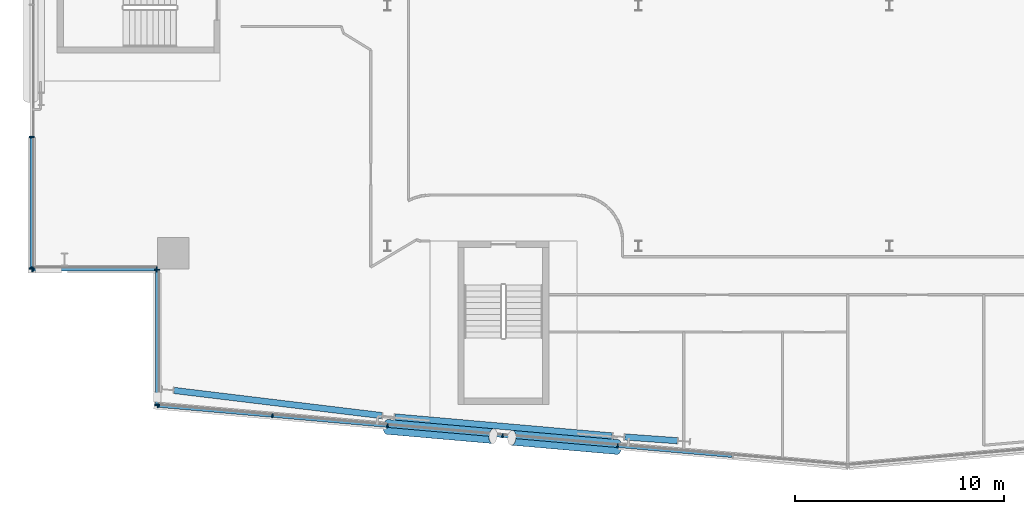
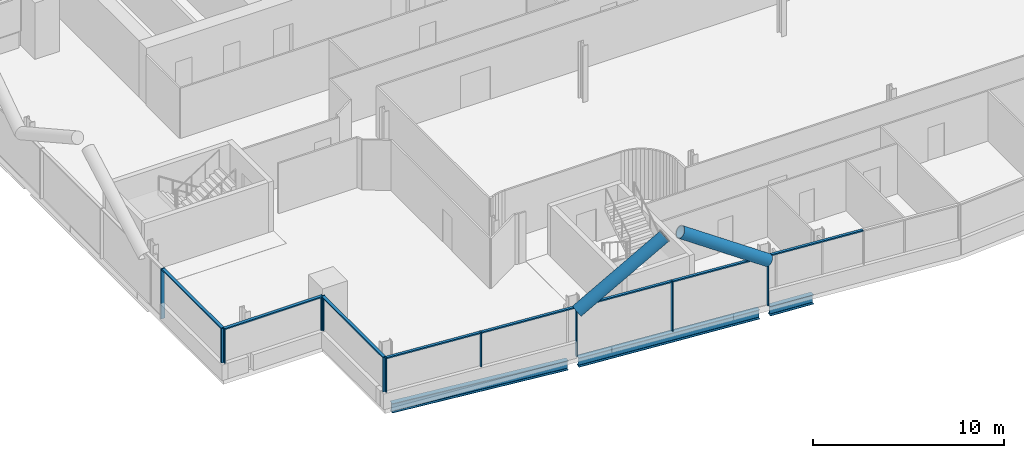
# One storey, part 6 of 29: 21 members, 3 beams, 4 elements without a shape of their own.
"""IFC4 building model written with IfcOpenShell, lengths in metres."""

from ifc_helpers import new_model, si_unit, direction, frame, origin, origin_2d, place, context, subcontext, project, spatial, rectangle, hollow_circle, i_section, extrude, material, material_profile, profile_set, type_object, element, aggregate, save


model = new_model("IFC4")

# Units and contexts
model_context = context("Model", 3, precision=1e-05, world=origin(), true_north=direction((0.0, 1.0)))
body_context = subcontext(model_context, "Body", "Model", "MODEL_VIEW")
ifc_project = project(units=[si_unit("LENGTHUNIT", "METRE"), si_unit("AREAUNIT", "SQUARE_METRE"), si_unit("VOLUMEUNIT", "CUBIC_METRE"), si_unit("PLANEANGLEUNIT", "RADIAN"), si_unit("MASSUNIT", "GRAM", prefix="KILO")], contexts=[model_context])

# Site, building, storey
site_placement = place(None, origin())
site = spatial("IfcSite", under=ifc_project, at=site_placement, CompositionType="ELEMENT")
building_placement = place(site_placement, origin())
building = spatial("IfcBuilding", under=site, at=building_placement, Name="Wharfspan Tower", CompositionType="ELEMENT")
storey_placement = place(building_placement, frame((0.0, 0.0, 162.699951)))
storey = spatial("IfcBuildingStorey", under=building, at=storey_placement, Name="L39", CompositionType="ELEMENT", Elevation=162.699951)

# Beams
ifc_material_1 = material(Name="Steel S355J2", Category="steel")
ifc_material_profile_1 = material_profile(ifc_material_1, i_section(OverallWidth=0.300049, OverallDepth=0.600098, WebThickness=0.015381, FlangeThickness=0.030029, FilletRadius=0.0271, at=origin_2d()))
ifc_profile_set_1 = profile_set([ifc_material_profile_1], Name="Steel S355J2")
beam_type = type_object("IfcBeamType", Name="Edge beam HEB 600", PredefinedType="SPANDREL", material=ifc_profile_set_1)
beam_1_placement = place(storey_placement, frame((13.794678, 4.600586, -0.699951), z_axis=(0.992758, -0.12013, 0.0), x_axis=(0.12013, 0.992758, 0.0)))
element("IfcBeam", 1, at=beam_1_placement, inside=storey, type_object=beam_type, Name="Edge beam S1 L39 PS1.1 to PS1.2", PredefinedType="SPANDREL", context=body_context, shape_type="SweptSolid", body=[
    extrude(i_section(OverallWidth=0.300049, OverallDepth=0.600098, WebThickness=0.015381, FlangeThickness=0.030029, FilletRadius=0.0271, at=origin_2d()), origin(), (0.0, 0.0, 1.0), 10.013184),
])
beam_2_placement = place(storey_placement, frame((24.343994, 3.334229, -0.699951), z_axis=(0.996196, -0.087146, 0.0), x_axis=(0.087146, 0.996196, 0.0)))
element("IfcBeam", 2, at=beam_2_placement, inside=storey, type_object=beam_type, Name="Edge beam S1 L39 PS1.2 to PS1.3", PredefinedType="SPANDREL", context=body_context, shape_type="SweptSolid", body=[
    extrude(i_section(OverallWidth=0.300049, OverallDepth=0.600098, WebThickness=0.015381, FlangeThickness=0.030029, FilletRadius=0.0271, at=origin_2d()), origin(), (0.0, 0.0, 1.0), 10.430176),
])
beam_3_placement = place(storey_placement, frame((35.344482, 2.376709, -0.699951), z_axis=(0.997423, -0.07175, 0.0), x_axis=(0.07175, 0.997423, 0.0)))
element("IfcBeam", 3, at=beam_3_placement, inside=storey, type_object=beam_type, Name="Edge beam S1 L39 PS1.3 to PS1.4", PredefinedType="SPANDREL", context=body_context, shape_type="SweptSolid", body=[
    extrude(i_section(OverallWidth=0.300049, OverallDepth=0.600098, WebThickness=0.015381, FlangeThickness=0.030029, FilletRadius=0.0271, at=origin_2d()), origin(), (0.0, 0.0, 1.0), 2.518066),
])

# Curtain wall, members
ifc_material_2 = material(Name="Aluminium 6063-T6", Category="aluminium")
curtain_wall_type_1 = type_object("IfcCurtainWallType", Name="CURTAIN WALL FACETED FRONT", PredefinedType="NOTDEFINED", material=ifc_material_2)
curtain_wall_1_placement = place(storey_placement, origin())
curtain_wall_1 = element("IfcCurtainWall", 4, at=curtain_wall_1_placement, inside=storey, type_object=curtain_wall_type_1, Name="Curtain wall S1", PredefinedType="NOTDEFINED")
ifc_material_profile_2 = material_profile(ifc_material_2, rectangle(XDim=0.199951, YDim=0.060059, at=origin_2d()))
ifc_profile_set_2 = profile_set([ifc_material_profile_2], Name="Aluminium 6063-T6")
member_type_1 = type_object("IfcMemberType", Name="MULLION FACETED FRONT 60x200", PredefinedType="MULLION", material=ifc_profile_set_2)
member_1_placement = place(storey_placement, frame((13.029785, 3.872559, 1.0), z_axis=(0.0, 0.0, 1.0), x_axis=(0.087156, 0.996198, 0.0)))
member_1 = element("IfcMember", 5, at=member_1_placement, type_object=member_type_1, Name="Curtain wall S1 mullion 1", PredefinedType="MULLION", context=body_context, shape_type="SweptSolid", body=[
    extrude(rectangle(XDim=0.199951, YDim=0.060059, at=origin_2d()), origin(), (0.0, 0.0, 1.0), 2.199951),
])
member_2_placement = place(storey_placement, frame((18.5, 3.393799, 1.0), z_axis=(0.0, 0.0, 1.0), x_axis=(0.087156, 0.996198, 0.0)))
member_2 = element("IfcMember", 6, at=member_2_placement, type_object=member_type_1, Name="Curtain wall S1 mullion 2", PredefinedType="MULLION", context=body_context, shape_type="SweptSolid", body=[
    extrude(rectangle(XDim=0.199951, YDim=0.060059, at=origin_2d()), origin(), (0.0, 0.0, 1.0), 2.199951),
])
member_3_placement = place(storey_placement, frame((24.0, 2.912598, 0.0), z_axis=(0.0, 0.0, 1.0), x_axis=(0.087156, 0.996198, 0.0)))
member_3 = element("IfcMember", 7, at=member_3_placement, type_object=member_type_1, Name="Curtain wall S1 mullion 3", PredefinedType="MULLION", context=body_context, shape_type="SweptSolid", body=[
    extrude(rectangle(XDim=0.199951, YDim=0.060059, at=origin_2d()), origin(), (0.0, 0.0, 1.0), 3.199951),
])
member_4_placement = place(storey_placement, frame((29.5, 2.431396, 0.0), z_axis=(0.0, 0.0, 1.0), x_axis=(0.087156, 0.996198, 0.0)))
member_4 = element("IfcMember", 8, at=member_4_placement, type_object=member_type_1, Name="Curtain wall S1 mullion 4", PredefinedType="MULLION", context=body_context, shape_type="SweptSolid", body=[
    extrude(rectangle(XDim=0.199951, YDim=0.060059, at=origin_2d()), origin(), (0.0, 0.0, 1.0), 3.199951),
])
member_5_placement = place(storey_placement, frame((35.0, 1.950195, 0.0), z_axis=(0.0, 0.0, 1.0), x_axis=(0.087156, 0.996198, 0.0)))
member_5 = element("IfcMember", 9, at=member_5_placement, type_object=member_type_1, Name="Curtain wall S1 mullion 5", PredefinedType="MULLION", context=body_context, shape_type="SweptSolid", body=[
    extrude(rectangle(XDim=0.199951, YDim=0.060059, at=origin_2d()), origin(), (0.0, 0.0, 1.0), 3.199951),
])

curtain_wall_type_2 = type_object("IfcCurtainWallType", Name="CURTAIN WALL PROW AND END", PredefinedType="NOTDEFINED", material=ifc_material_2)
curtain_wall_2_placement = place(storey_placement, origin())
curtain_wall_2 = element("IfcCurtainWall", 10, at=curtain_wall_2_placement, inside=storey, type_object=curtain_wall_type_2, Name="Curtain wall W", PredefinedType="NOTDEFINED")
ifc_material_profile_3 = material_profile(ifc_material_2, rectangle(XDim=0.23999, YDim=0.060059, at=origin_2d()))
ifc_profile_set_3 = profile_set([ifc_material_profile_3], Name="Aluminium 6063-T6")
member_type_2 = type_object("IfcMemberType", Name="MULLION PROW AND END 60x240", PredefinedType="MULLION", material=ifc_profile_set_3)
member_6_placement = place(storey_placement, frame((7.0, 16.719971, 0.0), z_axis=(0.0, 0.0, 1.0), x_axis=(1.0, 0.0, 0.0)))
member_6 = element("IfcMember", 11, at=member_6_placement, type_object=member_type_2, Name="Curtain wall W mullion 5", PredefinedType="MULLION", context=body_context, shape_type="SweptSolid", body=[
    extrude(rectangle(XDim=0.23999, YDim=0.060059, at=origin_2d()), origin(), (0.0, 0.0, 1.0), 3.199951),
])
member_7_placement = place(storey_placement, frame((7.0, 10.429932, 1.0), z_axis=(0.0, 0.0, 1.0), x_axis=(1.0, 0.0, 0.0)))
member_7 = element("IfcMember", 12, at=member_7_placement, type_object=member_type_2, Name="Curtain wall W mullion 6", PredefinedType="MULLION", context=body_context, shape_type="SweptSolid", body=[
    extrude(rectangle(XDim=0.23999, YDim=0.060059, at=origin_2d()), origin(), (0.0, 0.0, 1.0), 2.199951),
])

curtain_wall_3_placement = place(storey_placement, origin())
curtain_wall_3 = element("IfcCurtainWall", 13, at=curtain_wall_3_placement, inside=storey, type_object=curtain_wall_type_2, Name="Curtain wall NFW-H", PredefinedType="NOTDEFINED")
member_8_placement = place(storey_placement, frame((7.030029, 10.399902, 1.0), z_axis=(0.0, 0.0, 1.0), x_axis=(0.0, 1.0, 0.0)))
member_8 = element("IfcMember", 14, at=member_8_placement, type_object=member_type_2, Name="Curtain wall NFW-H mullion 1", PredefinedType="MULLION", context=body_context, shape_type="SweptSolid", body=[
    extrude(rectangle(XDim=0.23999, YDim=0.060059, at=origin_2d()), origin(), (0.0, 0.0, 1.0), 2.199951),
])
member_9_placement = place(storey_placement, frame((12.969971, 10.399902, 1.0), z_axis=(0.0, 0.0, 1.0), x_axis=(0.0, 1.0, 0.0)))
member_9 = element("IfcMember", 15, at=member_9_placement, type_object=member_type_2, Name="Curtain wall NFW-H mullion 2", PredefinedType="MULLION", context=body_context, shape_type="SweptSolid", body=[
    extrude(rectangle(XDim=0.23999, YDim=0.060059, at=origin_2d()), origin(), (0.0, 0.0, 1.0), 2.199951),
])

curtain_wall_4_placement = place(storey_placement, origin())
curtain_wall_4 = element("IfcCurtainWall", 16, at=curtain_wall_4_placement, inside=storey, type_object=curtain_wall_type_2, Name="Curtain wall NFW-V", PredefinedType="NOTDEFINED")
member_10_placement = place(storey_placement, frame((13.0, 10.370117, 1.0), z_axis=(0.0, 0.0, 1.0), x_axis=(1.0, 0.0, 0.0)))
member_10 = element("IfcMember", 17, at=member_10_placement, type_object=member_type_2, Name="Curtain wall NFW-V mullion 1", PredefinedType="MULLION", context=body_context, shape_type="SweptSolid", body=[
    extrude(rectangle(XDim=0.23999, YDim=0.060059, at=origin_2d()), origin(), (0.0, 0.0, 1.0), 2.199951),
])
member_11_placement = place(storey_placement, frame((13.0, 3.905029, 1.0), z_axis=(0.0, 0.0, 1.0), x_axis=(1.0, 0.0, 0.0)))
member_11 = element("IfcMember", 18, at=member_11_placement, type_object=member_type_2, Name="Curtain wall NFW-V mullion 2", PredefinedType="MULLION", context=body_context, shape_type="SweptSolid", body=[
    extrude(rectangle(XDim=0.23999, YDim=0.060059, at=origin_2d()), origin(), (0.0, 0.0, 1.0), 2.199951),
])

# Members
ifc_material_3 = material(Name="Steel S460NH", Category="steel")
ifc_material_profile_4 = material_profile(ifc_material_3, hollow_circle(Radius=0.355469, WallThickness=0.035889, at=origin_2d()))
ifc_profile_set_4 = profile_set([ifc_material_profile_4], Name="Steel S460NH")
member_type_3 = type_object("IfcMemberType", Name="Mega brace CHS 711x36", PredefinedType="BRACE", material=ifc_profile_set_4)
for number, where, z_axis, x_axis, name in (
    (19, (23.995117, 2.85791, 2.900146), (0.834469, -0.073006, 0.546197), (0.087156, 0.996198, -1e-06), "Mega brace S1 L40 part 1"),
    (20, (34.995117, 1.895508, 2.900146), (-0.834469, 0.073006, 0.546197), (-0.087156, -0.996198, -1e-06), "Mega brace S1 L40 part 3"),
):
    element("IfcMember", number, at=place(storey_placement, frame(where, z_axis=z_axis, x_axis=x_axis)), inside=storey, type_object=member_type_3, Name=name, PredefinedType="BRACE", context=body_context, shape_type="SweptSolid", body=[
        extrude(hollow_circle(Radius=0.355469, WallThickness=0.035889, at=origin_2d()), origin(), (0.0, 0.0, 1.0), 6.049561),
    ])

# Member
ifc_material_profile_5 = material_profile(ifc_material_2, rectangle(XDim=0.159912, YDim=0.080078, at=origin_2d()))
ifc_profile_set_5 = profile_set([ifc_material_profile_5], Name="Aluminium 6063-T6")
member_type_4 = type_object("IfcMemberType", Name="TRANSOM FACETED FRONT 80x160", PredefinedType="USERDEFINED", material=ifc_profile_set_5)
member_12_placement = place(storey_placement, frame((13.059814, 3.869873, 3.160156), z_axis=(0.996194, -0.087163, 0.0), x_axis=(0.087163, 0.996194, 0.0)))
member_12 = element("IfcMember", 21, at=member_12_placement, type_object=member_type_4, Name="Curtain wall S1 transom 1", ObjectType="TRANSOM", PredefinedType="USERDEFINED", context=body_context, shape_type="SweptSolid", body=[
    extrude(rectangle(XDim=0.159912, YDim=0.080078, at=origin_2d()), origin(), (0.0, 0.0, 1.0), 5.431152),
])

member_13_placement = place(storey_placement, frame((18.529785, 3.391357, 3.160156), z_axis=(0.996193, -0.087174, 0.0), x_axis=(0.087174, 0.996193, 0.0)))
member_13 = element("IfcMember", 22, at=member_13_placement, type_object=member_type_4, Name="Curtain wall S1 transom 2", ObjectType="TRANSOM", PredefinedType="USERDEFINED", context=body_context, shape_type="SweptSolid", body=[
    extrude(rectangle(XDim=0.159912, YDim=0.080078, at=origin_2d()), origin(), (0.0, 0.0, 1.0), 5.461182),
])

member_14_placement = place(storey_placement, frame((24.029785, 2.910156, 3.160156), z_axis=(0.996193, -0.087174, 0.0), x_axis=(0.087174, 0.996193, 0.0)))
member_14 = element("IfcMember", 23, at=member_14_placement, type_object=member_type_4, Name="Curtain wall S1 transom 3", ObjectType="TRANSOM", PredefinedType="USERDEFINED", context=body_context, shape_type="SweptSolid", body=[
    extrude(rectangle(XDim=0.159912, YDim=0.080078, at=origin_2d()), origin(), (0.0, 0.0, 1.0), 5.461182),
])

member_15_placement = place(storey_placement, frame((29.529785, 2.428955, 3.160156), z_axis=(0.996193, -0.087174, 0.0), x_axis=(0.087174, 0.996193, 0.0)))
member_15 = element("IfcMember", 24, at=member_15_placement, type_object=member_type_4, Name="Curtain wall S1 transom 4", ObjectType="TRANSOM", PredefinedType="USERDEFINED", context=body_context, shape_type="SweptSolid", body=[
    extrude(rectangle(XDim=0.159912, YDim=0.080078, at=origin_2d()), origin(), (0.0, 0.0, 1.0), 5.461182),
])

member_16_placement = place(storey_placement, frame((35.029785, 1.947754, 3.160156), z_axis=(0.996193, -0.087174, 0.0), x_axis=(0.087174, 0.996193, 0.0)))
member_16 = element("IfcMember", 25, at=member_16_placement, type_object=member_type_4, Name="Curtain wall S1 transom 5", ObjectType="TRANSOM", PredefinedType="USERDEFINED", context=body_context, shape_type="SweptSolid", body=[
    extrude(rectangle(XDim=0.159912, YDim=0.080078, at=origin_2d()), origin(), (0.0, 0.0, 1.0), 5.461182),
])

aggregate(curtain_wall_1, [member_1, member_2, member_3, member_4, member_5, member_12, member_13, member_14, member_15, member_16])

ifc_material_profile_6 = material_profile(ifc_material_2, rectangle(XDim=0.179932, YDim=0.080078, at=origin_2d()))
ifc_profile_set_6 = profile_set([ifc_material_profile_6], Name="Aluminium 6063-T6")
member_type_5 = type_object("IfcMemberType", Name="TRANSOM PROW AND END 80x180", PredefinedType="USERDEFINED", material=ifc_profile_set_6)
member_17_placement = place(storey_placement, frame((7.0, 16.689941, 3.160156), z_axis=(0.0, -1.0, 0.0), x_axis=(1.0, 0.0, 0.0)))
member_17 = element("IfcMember", 26, at=member_17_placement, type_object=member_type_5, Name="Curtain wall W transom 5", ObjectType="TRANSOM", PredefinedType="USERDEFINED", context=body_context, shape_type="SweptSolid", body=[
    extrude(rectangle(XDim=0.179932, YDim=0.080078, at=origin_2d()), origin(), (0.0, 0.0, 1.0), 6.22998),
])

aggregate(curtain_wall_2, [member_6, member_7, member_17])

member_18_placement = place(storey_placement, frame((7.060059, 10.399902, 3.160156), z_axis=(1.0, 0.0, 0.0), x_axis=(0.0, 1.0, 0.0)))
member_18 = element("IfcMember", 27, at=member_18_placement, type_object=member_type_5, Name="Curtain wall NFW-H transom 1", ObjectType="TRANSOM", PredefinedType="USERDEFINED", context=body_context, shape_type="SweptSolid", body=[
    extrude(rectangle(XDim=0.179932, YDim=0.080078, at=origin_2d()), origin(), (0.0, 0.0, 1.0), 5.879883),
])

aggregate(curtain_wall_3, [member_8, member_9, member_18])

member_19_placement = place(storey_placement, frame((13.0, 10.340088, 3.160156), z_axis=(0.0, -1.0, 0.0), x_axis=(1.0, 0.0, 0.0)))
member_19 = element("IfcMember", 28, at=member_19_placement, type_object=member_type_5, Name="Curtain wall NFW-V transom 1", ObjectType="TRANSOM", PredefinedType="USERDEFINED", context=body_context, shape_type="SweptSolid", body=[
    extrude(rectangle(XDim=0.179932, YDim=0.080078, at=origin_2d()), origin(), (0.0, 0.0, 1.0), 6.405029),
])

aggregate(curtain_wall_4, [member_10, member_11, member_19])

save(model, "model.ifc")
